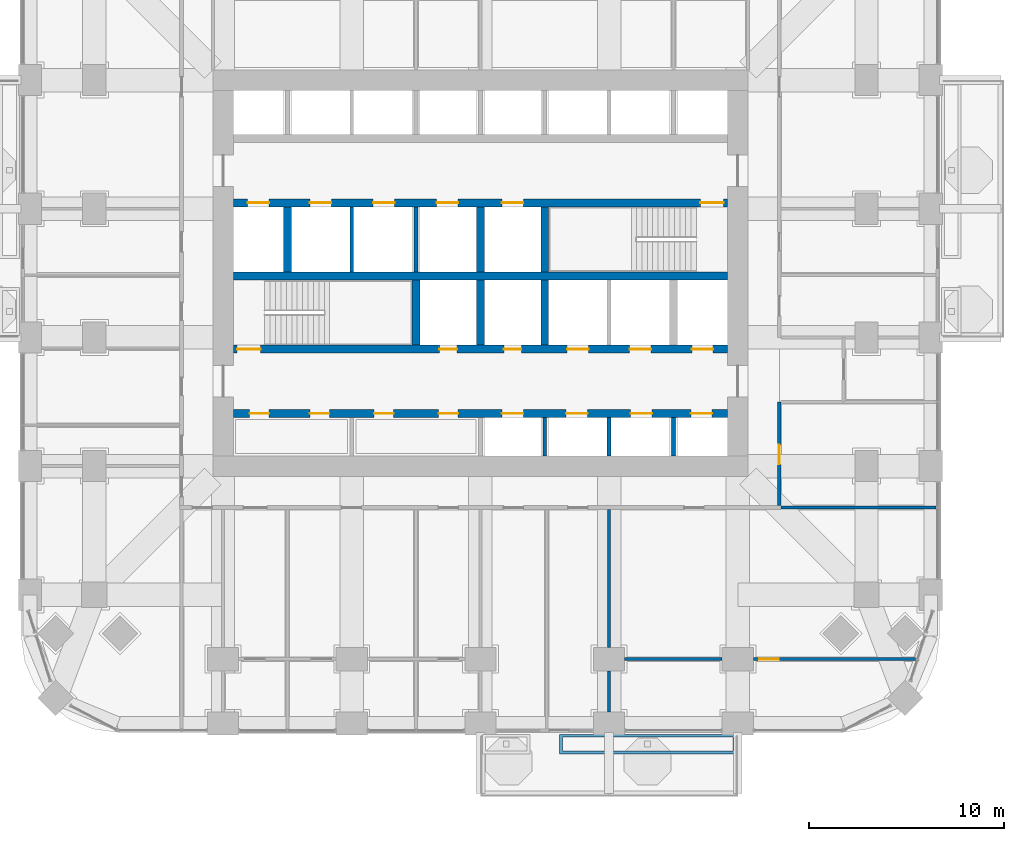
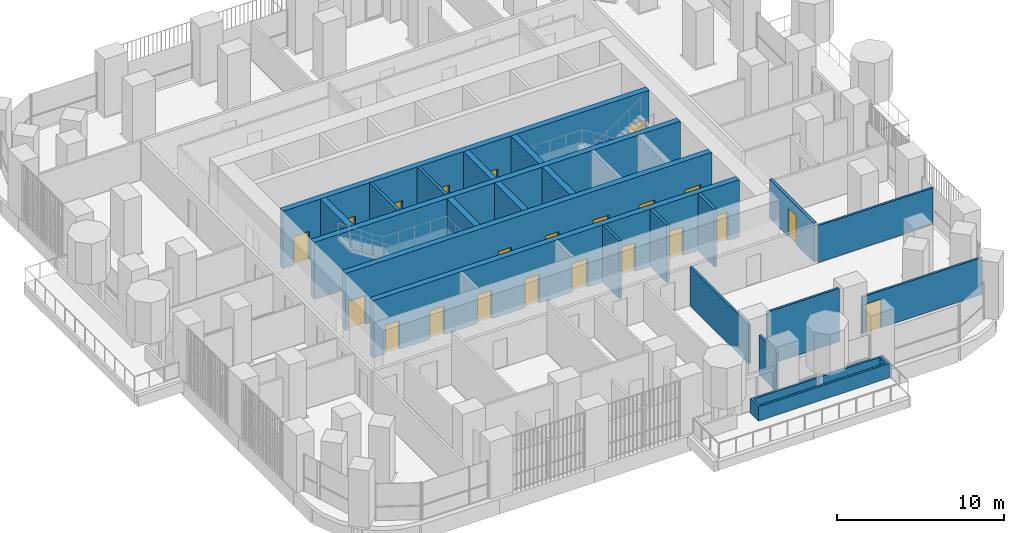
# One storey, part 15 of 22: 22 doors, 22 walls, 22 openings.
"""IFC4 building model written with IfcOpenShell, lengths in metres."""

from ifc_helpers import new_model, si_unit, direction, frame, frame_2d, origin, place, context, subcontext, project, spatial, polyline, rectangle, outline, extrude, material, layer, layer_set, type_object, element, fill, save


model = new_model("IFC4")

# Units and contexts
model_context = context("Model", 3, precision=1e-05, world=origin(), true_north=direction((0.0, 1.0)))
body_context = subcontext(model_context, "Body", "Model", "MODEL_VIEW")
ifc_project = project(units=[si_unit("LENGTHUNIT", "METRE"), si_unit("AREAUNIT", "SQUARE_METRE"), si_unit("VOLUMEUNIT", "CUBIC_METRE"), si_unit("PLANEANGLEUNIT", "RADIAN"), si_unit("MASSUNIT", "GRAM", prefix="KILO")], contexts=[model_context])

# Site, building, storey
site_placement = place(None, origin())
site = spatial("IfcSite", under=ifc_project, at=site_placement, CompositionType="ELEMENT")
building_placement = place(site_placement, origin())
building = spatial("IfcBuilding", under=site, at=building_placement, Name="Cobogo Forest Laboratory Tower", CompositionType="ELEMENT")
storey_placement = place(building_placement, frame((0.0, 0.0, 94.800048828125)))
storey = spatial("IfcBuildingStorey", under=building, at=storey_placement, Name="L21", CompositionType="ELEMENT", Elevation=94.800048828125)

# Wall, openings, doors
ifc_material_1 = material(Name="Concrete HA-50 (C50/60)", Category="concrete")
ifc_layer_1 = layer(ifc_material_1, 0.39990234375)
ifc_layer_set_1 = layer_set([ifc_layer_1], Name="CI400 core inner wall 400")
wall_type_1 = type_object("IfcWallType", Name="CI400 core inner wall 400", PredefinedType="SHEAR", material=ifc_layer_set_1)
wall_1_placement = place(storey_placement, frame((13.72509765625, 15.89990234375, 0.0), z_axis=(0.0, 0.0, 1.0), x_axis=(1.0, 0.0, 0.0)))
wall_1 = element("IfcWall", 1, at=wall_1_placement, inside=storey, type_object=wall_type_1, Name="Core wall CI-15.9 L21", PredefinedType="SHEAR", context=body_context, shape_type="SweptSolid", body=[
    extrude(rectangle(XDim=25.349853515625, YDim=0.39990234375, at=frame_2d((12.6748046875, 0.0))), origin(), (0.0, 0.0, 1.0), 4.199951171875),
])
opening_1_placement = place(wall_1_placement, frame((0.83740234375, 0.0, 0.0)))
opening_1 = element("IfcOpeningElement", 2, at=opening_1_placement, cuts=wall_1, Name="Opening L21-D16", PredefinedType="OPENING", context=body_context, shape_type="SweptSolid", body=[
    extrude(rectangle(XDim=1.0, YDim=2.10009765625, at=frame_2d((0.5, 1.050048828125))), frame((0.0, 0.2099609375, 0.0), z_axis=(0.0, -1.0, 0.0), x_axis=(1.0, 0.0, 0.0)), (0.0, 0.0, 1.0), 0.419921875),
])
opening_2_placement = place(wall_1_placement, frame((3.925048828125, 0.0, 0.0)))
opening_2 = element("IfcOpeningElement", 3, at=opening_2_placement, cuts=wall_1, Name="Opening L21-D17", PredefinedType="OPENING", context=body_context, shape_type="SweptSolid", body=[
    extrude(rectangle(XDim=1.0, YDim=2.10009765625, at=frame_2d((0.5, 1.050048828125))), frame((0.0, 0.2099609375, 0.0), z_axis=(0.0, -1.0, 0.0), x_axis=(1.0, 0.0, 0.0)), (0.0, 0.0, 1.0), 0.419921875),
])
opening_3_placement = place(wall_1_placement, frame((7.22509765625, 0.0, 0.0)))
opening_3 = element("IfcOpeningElement", 4, at=opening_3_placement, cuts=wall_1, Name="Opening L21-D18", PredefinedType="OPENING", context=body_context, shape_type="SweptSolid", body=[
    extrude(rectangle(XDim=1.0, YDim=2.10009765625, at=frame_2d((0.5, 1.050048828125))), frame((0.0, 0.2099609375, 0.0), z_axis=(0.0, -1.0, 0.0), x_axis=(1.0, 0.0, 0.0)), (0.0, 0.0, 1.0), 0.419921875),
])
opening_4_placement = place(wall_1_placement, frame((10.52490234375, 0.0, 0.0)))
opening_4 = element("IfcOpeningElement", 5, at=opening_4_placement, cuts=wall_1, Name="Opening L21-D19", PredefinedType="OPENING", context=body_context, shape_type="SweptSolid", body=[
    extrude(rectangle(XDim=1.0, YDim=2.10009765625, at=frame_2d((0.5, 1.050048828125))), frame((0.0, 0.2099609375, 0.0), z_axis=(0.0, -1.0, 0.0), x_axis=(1.0, 0.0, 0.0)), (0.0, 0.0, 1.0), 0.419921875),
])
opening_5_placement = place(wall_1_placement, frame((13.77490234375, 0.0, 0.0)))
opening_5 = element("IfcOpeningElement", 6, at=opening_5_placement, cuts=wall_1, Name="Opening L21-LD-LB1", PredefinedType="OPENING", context=body_context, shape_type="SweptSolid", body=[
    extrude(rectangle(XDim=1.10009765625, YDim=2.10009765625, at=frame_2d((0.550048828125, 1.050048828125))), frame((0.0, 0.2099609375, 0.0), z_axis=(0.0, -1.0, 0.0), x_axis=(1.0, 0.0, 0.0)), (0.0, 0.0, 1.0), 0.419921875),
])
opening_6_placement = place(wall_1_placement, frame((17.074951171875, 0.0, 0.0)))
opening_6 = element("IfcOpeningElement", 7, at=opening_6_placement, cuts=wall_1, Name="Opening L21-LD-LB2", PredefinedType="OPENING", context=body_context, shape_type="SweptSolid", body=[
    extrude(rectangle(XDim=1.10009765625, YDim=2.10009765625, at=frame_2d((0.550048828125, 1.050048828125))), frame((0.0, 0.2099609375, 0.0), z_axis=(0.0, -1.0, 0.0), x_axis=(1.0, 0.0, 0.0)), (0.0, 0.0, 1.0), 0.419921875),
])
opening_7_placement = place(wall_1_placement, frame((20.375, 0.0, 0.0)))
opening_7 = element("IfcOpeningElement", 8, at=opening_7_placement, cuts=wall_1, Name="Opening L21-LD-LB3", PredefinedType="OPENING", context=body_context, shape_type="SweptSolid", body=[
    extrude(rectangle(XDim=1.10009765625, YDim=2.10009765625, at=frame_2d((0.550048828125, 1.050048828125))), frame((0.0, 0.2099609375, 0.0), z_axis=(0.0, -1.0, 0.0), x_axis=(1.0, 0.0, 0.0)), (0.0, 0.0, 1.0), 0.419921875),
])
opening_8_placement = place(wall_1_placement, frame((23.46240234375, 0.0, 0.0)))
opening_8 = element("IfcOpeningElement", 9, at=opening_8_placement, cuts=wall_1, Name="Opening L21-LD-LB4", PredefinedType="OPENING", context=body_context, shape_type="SweptSolid", body=[
    extrude(rectangle(XDim=1.10009765625, YDim=2.10009765625, at=frame_2d((0.550048828125, 1.050048828125))), frame((0.0, 0.2099609375, 0.0), z_axis=(0.0, -1.0, 0.0), x_axis=(1.0, 0.0, 0.0)), (0.0, 0.0, 1.0), 0.419921875),
])
ifc_material_2 = material(Name="Steel fire door", Category="steel")
door_type_1 = type_object("IfcDoorType", Name="FD1 fire door 1000 EI2 60", OperationType="SINGLE_SWING_LEFT", PredefinedType="DOOR", material=ifc_material_2)
door_1_placement = place(opening_1_placement, origin())
door_1 = element("IfcDoor", 10, at=door_1_placement, inside=storey, type_object=door_type_1, Name="Door L21-SH-LA1", OperationType="SINGLE_SWING_LEFT", OverallHeight=2.10009765625, OverallWidth=1.0, PredefinedType="DOOR", context=body_context, shape_type="SweptSolid", body=[
    extrude(rectangle(XDim=1.0, YDim=2.10009765625, at=frame_2d((0.5, 1.050048828125))), frame((0.0, 0.02490234375, 0.0), z_axis=(0.0, -1.0, 0.0), x_axis=(1.0, 0.0, 0.0)), (0.0, 0.0, 1.0), 0.050048828125),
])
fill(opening_1, door_1)
door_2_placement = place(opening_2_placement, origin())
door_2 = element("IfcDoor", 11, at=door_2_placement, inside=storey, type_object=door_type_1, Name="Door L21-SH-LA2", OperationType="SINGLE_SWING_LEFT", OverallHeight=2.10009765625, OverallWidth=1.0, PredefinedType="DOOR", context=body_context, shape_type="SweptSolid", body=[
    extrude(rectangle(XDim=1.0, YDim=2.10009765625, at=frame_2d((0.5, 1.050048828125))), frame((0.0, 0.02490234375, 0.0), z_axis=(0.0, -1.0, 0.0), x_axis=(1.0, 0.0, 0.0)), (0.0, 0.0, 1.0), 0.050048828125),
])
fill(opening_2, door_2)
door_3_placement = place(opening_3_placement, origin())
door_3 = element("IfcDoor", 12, at=door_3_placement, inside=storey, type_object=door_type_1, Name="Door L21-SH-LA3", OperationType="SINGLE_SWING_LEFT", OverallHeight=2.10009765625, OverallWidth=1.0, PredefinedType="DOOR", context=body_context, shape_type="SweptSolid", body=[
    extrude(rectangle(XDim=1.0, YDim=2.10009765625, at=frame_2d((0.5, 1.050048828125))), frame((0.0, 0.02490234375, 0.0), z_axis=(0.0, -1.0, 0.0), x_axis=(1.0, 0.0, 0.0)), (0.0, 0.0, 1.0), 0.050048828125),
])
fill(opening_3, door_3)
door_4_placement = place(opening_4_placement, origin())
door_4 = element("IfcDoor", 13, at=door_4_placement, inside=storey, type_object=door_type_1, Name="Door L21-SH-LA4", OperationType="SINGLE_SWING_LEFT", OverallHeight=2.10009765625, OverallWidth=1.0, PredefinedType="DOOR", context=body_context, shape_type="SweptSolid", body=[
    extrude(rectangle(XDim=1.0, YDim=2.10009765625, at=frame_2d((0.5, 1.050048828125))), frame((0.0, 0.02490234375, 0.0), z_axis=(0.0, -1.0, 0.0), x_axis=(1.0, 0.0, 0.0)), (0.0, 0.0, 1.0), 0.050048828125),
])
fill(opening_4, door_4)
ifc_material_3 = material(Name="Stainless steel lift door", Category="steel")
door_type_2 = type_object("IfcDoorType", Name="LD lift landing door 1100", OperationType="DOUBLE_DOOR_SLIDING", PredefinedType="DOOR", material=ifc_material_3)
door_5_placement = place(opening_5_placement, origin())
door_5 = element("IfcDoor", 14, at=door_5_placement, inside=storey, type_object=door_type_2, Name="Lift landing door LB1 L21", OperationType="DOUBLE_DOOR_SLIDING", OverallHeight=2.10009765625, OverallWidth=1.10009765625, PredefinedType="DOOR", context=body_context, shape_type="SweptSolid", body=[
    extrude(rectangle(XDim=1.10009765625, YDim=2.10009765625, at=frame_2d((0.550048828125, 1.050048828125))), frame((0.0, 0.02490234375, 0.0), z_axis=(0.0, -1.0, 0.0), x_axis=(1.0, 0.0, 0.0)), (0.0, 0.0, 1.0), 0.050048828125),
])
fill(opening_5, door_5)
door_6_placement = place(opening_6_placement, origin())
door_6 = element("IfcDoor", 15, at=door_6_placement, inside=storey, type_object=door_type_2, Name="Lift landing door LB2 L21", OperationType="DOUBLE_DOOR_SLIDING", OverallHeight=2.10009765625, OverallWidth=1.10009765625, PredefinedType="DOOR", context=body_context, shape_type="SweptSolid", body=[
    extrude(rectangle(XDim=1.10009765625, YDim=2.10009765625, at=frame_2d((0.550048828125, 1.050048828125))), frame((0.0, 0.02490234375, 0.0), z_axis=(0.0, -1.0, 0.0), x_axis=(1.0, 0.0, 0.0)), (0.0, 0.0, 1.0), 0.050048828125),
])
fill(opening_6, door_6)
door_7_placement = place(opening_7_placement, origin())
door_7 = element("IfcDoor", 16, at=door_7_placement, inside=storey, type_object=door_type_2, Name="Lift landing door LB3 L21", OperationType="DOUBLE_DOOR_SLIDING", OverallHeight=2.10009765625, OverallWidth=1.10009765625, PredefinedType="DOOR", context=body_context, shape_type="SweptSolid", body=[
    extrude(rectangle(XDim=1.10009765625, YDim=2.10009765625, at=frame_2d((0.550048828125, 1.050048828125))), frame((0.0, 0.02490234375, 0.0), z_axis=(0.0, -1.0, 0.0), x_axis=(1.0, 0.0, 0.0)), (0.0, 0.0, 1.0), 0.050048828125),
])
fill(opening_7, door_7)
door_8_placement = place(opening_8_placement, origin())
door_8 = element("IfcDoor", 17, at=door_8_placement, inside=storey, type_object=door_type_2, Name="Lift landing door LB4 L21", OperationType="DOUBLE_DOOR_SLIDING", OverallHeight=2.10009765625, OverallWidth=1.10009765625, PredefinedType="DOOR", context=body_context, shape_type="SweptSolid", body=[
    extrude(rectangle(XDim=1.10009765625, YDim=2.10009765625, at=frame_2d((0.550048828125, 1.050048828125))), frame((0.0, 0.02490234375, 0.0), z_axis=(0.0, -1.0, 0.0), x_axis=(1.0, 0.0, 0.0)), (0.0, 0.0, 1.0), 0.050048828125),
])
fill(opening_8, door_8)

wall_2_placement = place(storey_placement, frame((13.72509765625, 19.199951171875, 0.0), z_axis=(0.0, 0.0, 1.0), x_axis=(1.0, 0.0, 0.0)))
wall_2 = element("IfcWall", 18, at=wall_2_placement, inside=storey, type_object=wall_type_1, Name="Core wall CI-19.2 L21", PredefinedType="SHEAR", context=body_context, shape_type="SweptSolid", body=[
    extrude(rectangle(XDim=25.349853515625, YDim=0.39990234375, at=frame_2d((12.6748046875, 0.0))), origin(), (0.0, 0.0, 1.0), 4.199951171875),
])
opening_9_placement = place(wall_2_placement, frame((10.574951171875, 0.0, 0.0)))
opening_9 = element("IfcOpeningElement", 19, at=opening_9_placement, cuts=wall_2, Name="Opening L21-D25", PredefinedType="OPENING", context=body_context, shape_type="SweptSolid", body=[
    extrude(rectangle(XDim=0.89990234375, YDim=2.10009765625, at=frame_2d((0.449951171875, 1.050048828125))), frame((0.0, 0.2099609375, 0.0), z_axis=(0.0, -1.0, 0.0), x_axis=(1.0, 0.0, 0.0)), (0.0, 0.0, 1.0), 0.419921875),
])
opening_10_placement = place(wall_2_placement, frame((13.875, 0.0, 0.0)))
opening_10 = element("IfcOpeningElement", 20, at=opening_10_placement, cuts=wall_2, Name="Opening L21-D26", PredefinedType="OPENING", context=body_context, shape_type="SweptSolid", body=[
    extrude(rectangle(XDim=0.89990234375, YDim=2.10009765625, at=frame_2d((0.449951171875, 1.050048828125))), frame((0.0, 0.2099609375, 0.0), z_axis=(0.0, -1.0, 0.0), x_axis=(1.0, 0.0, 0.0)), (0.0, 0.0, 1.0), 0.419921875),
])
opening_11_placement = place(wall_2_placement, frame((0.199951171875, 0.0, 0.0)))
opening_11 = element("IfcOpeningElement", 21, at=opening_11_placement, cuts=wall_2, Name="Opening L21-D24", PredefinedType="OPENING", context=body_context, shape_type="SweptSolid", body=[
    extrude(rectangle(XDim=1.199951171875, YDim=2.10009765625, at=frame_2d((0.60009765625, 1.050048828125))), frame((0.0, 0.2099609375, 0.0), z_axis=(0.0, -1.0, 0.0), x_axis=(1.0, 0.0, 0.0)), (0.0, 0.0, 1.0), 0.419921875),
])
opening_12_placement = place(wall_2_placement, frame((23.512451171875, 0.0, 0.0)))
opening_12 = element("IfcOpeningElement", 22, at=opening_12_placement, cuts=wall_2, Name="Opening L21-LD-FL2", PredefinedType="OPENING", context=body_context, shape_type="SweptSolid", body=[
    extrude(rectangle(XDim=1.10009765625, YDim=2.10009765625, at=frame_2d((0.550048828125, 1.050048828125))), frame((0.0, 0.2099609375, 0.0), z_axis=(0.0, -1.0, 0.0), x_axis=(1.0, 0.0, 0.0)), (0.0, 0.0, 1.0), 0.419921875),
])
opening_13_placement = place(wall_2_placement, frame((17.125, 0.0, 0.0)))
opening_13 = element("IfcOpeningElement", 23, at=opening_13_placement, cuts=wall_2, Name="Opening L21-LD-LS1", PredefinedType="OPENING", context=body_context, shape_type="SweptSolid", body=[
    extrude(rectangle(XDim=1.10009765625, YDim=2.10009765625, at=frame_2d((0.550048828125, 1.050048828125))), frame((0.0, 0.2099609375, 0.0), z_axis=(0.0, -1.0, 0.0), x_axis=(1.0, 0.0, 0.0)), (0.0, 0.0, 1.0), 0.419921875),
])
opening_14_placement = place(wall_2_placement, frame((20.324951171875, 0.0, 0.0)))
opening_14 = element("IfcOpeningElement", 24, at=opening_14_placement, cuts=wall_2, Name="Opening L21-LD-LS2", PredefinedType="OPENING", context=body_context, shape_type="SweptSolid", body=[
    extrude(rectangle(XDim=1.10009765625, YDim=2.10009765625, at=frame_2d((0.550048828125, 1.050048828125))), frame((0.0, 0.2099609375, 0.0), z_axis=(0.0, -1.0, 0.0), x_axis=(1.0, 0.0, 0.0)), (0.0, 0.0, 1.0), 0.419921875),
])
door_type_3 = type_object("IfcDoorType", Name="DS1 protected stair door 1200 EI2 60", OperationType="SINGLE_SWING_LEFT", PredefinedType="DOOR", material=ifc_material_2)
door_9_placement = place(opening_11_placement, origin())
door_9 = element("IfcDoor", 25, at=door_9_placement, inside=storey, type_object=door_type_3, Name="Door L21-ST1", OperationType="SINGLE_SWING_LEFT", OverallHeight=2.10009765625, OverallWidth=1.199951171875, PredefinedType="DOOR", context=body_context, shape_type="SweptSolid", body=[
    extrude(rectangle(XDim=1.199951171875, YDim=2.10009765625, at=frame_2d((0.60009765625, 1.050048828125))), frame((0.0, 0.02490234375, 0.0), z_axis=(0.0, -1.0, 0.0), x_axis=(1.0, 0.0, 0.0)), (0.0, 0.0, 1.0), 0.050048828125),
])
fill(opening_11, door_9)
door_type_4 = type_object("IfcDoorType", Name="FD4 riser access door 900 EI2 60", OperationType="SINGLE_SWING_LEFT", PredefinedType="DOOR", material=ifc_material_2)
door_10_placement = place(opening_9_placement, origin())
door_10 = element("IfcDoor", 26, at=door_10_placement, inside=storey, type_object=door_type_4, Name="Door L21-R1", OperationType="SINGLE_SWING_LEFT", OverallHeight=2.10009765625, OverallWidth=0.89990234375, PredefinedType="DOOR", context=body_context, shape_type="SweptSolid", body=[
    extrude(rectangle(XDim=0.89990234375, YDim=2.10009765625, at=frame_2d((0.449951171875, 1.050048828125))), frame((0.0, 0.02490234375, 0.0), z_axis=(0.0, -1.0, 0.0), x_axis=(1.0, 0.0, 0.0)), (0.0, 0.0, 1.0), 0.050048828125),
])
fill(opening_9, door_10)
door_11_placement = place(opening_10_placement, origin())
door_11 = element("IfcDoor", 27, at=door_11_placement, inside=storey, type_object=door_type_4, Name="Door L21-R2", OperationType="SINGLE_SWING_RIGHT", OverallHeight=2.10009765625, OverallWidth=0.89990234375, PredefinedType="DOOR", context=body_context, shape_type="SweptSolid", body=[
    extrude(rectangle(XDim=0.89990234375, YDim=2.10009765625, at=frame_2d((0.449951171875, 1.050048828125))), frame((0.0, 0.02490234375, 0.0), z_axis=(0.0, -1.0, 0.0), x_axis=(1.0, 0.0, 0.0)), (0.0, 0.0, 1.0), 0.050048828125),
])
fill(opening_10, door_11)
door_12_placement = place(opening_12_placement, origin())
door_12 = element("IfcDoor", 28, at=door_12_placement, inside=storey, type_object=door_type_2, Name="Lift landing door FL2 L21", OperationType="DOUBLE_DOOR_SLIDING", OverallHeight=2.10009765625, OverallWidth=1.10009765625, PredefinedType="DOOR", context=body_context, shape_type="SweptSolid", body=[
    extrude(rectangle(XDim=1.10009765625, YDim=2.10009765625, at=frame_2d((0.550048828125, 1.050048828125))), frame((0.0, 0.02490234375, 0.0), z_axis=(0.0, -1.0, 0.0), x_axis=(1.0, 0.0, 0.0)), (0.0, 0.0, 1.0), 0.050048828125),
])
fill(opening_12, door_12)
door_13_placement = place(opening_13_placement, origin())
door_13 = element("IfcDoor", 29, at=door_13_placement, inside=storey, type_object=door_type_2, Name="Lift landing door LS1 L21", OperationType="DOUBLE_DOOR_SLIDING", OverallHeight=2.10009765625, OverallWidth=1.10009765625, PredefinedType="DOOR", context=body_context, shape_type="SweptSolid", body=[
    extrude(rectangle(XDim=1.10009765625, YDim=2.10009765625, at=frame_2d((0.550048828125, 1.050048828125))), frame((0.0, 0.02490234375, 0.0), z_axis=(0.0, -1.0, 0.0), x_axis=(1.0, 0.0, 0.0)), (0.0, 0.0, 1.0), 0.050048828125),
])
fill(opening_13, door_13)
door_14_placement = place(opening_14_placement, origin())
door_14 = element("IfcDoor", 30, at=door_14_placement, inside=storey, type_object=door_type_2, Name="Lift landing door LS2 L21", OperationType="DOUBLE_DOOR_SLIDING", OverallHeight=2.10009765625, OverallWidth=1.10009765625, PredefinedType="DOOR", context=body_context, shape_type="SweptSolid", body=[
    extrude(rectangle(XDim=1.10009765625, YDim=2.10009765625, at=frame_2d((0.550048828125, 1.050048828125))), frame((0.0, 0.02490234375, 0.0), z_axis=(0.0, -1.0, 0.0), x_axis=(1.0, 0.0, 0.0)), (0.0, 0.0, 1.0), 0.050048828125),
])
fill(opening_14, door_14)

# Wall
wall_3_placement = place(storey_placement, frame((13.72509765625, 22.949951171875, 0.0), z_axis=(0.0, 0.0, 1.0), x_axis=(1.0, 0.0, 0.0)))
element("IfcWall", 31, at=wall_3_placement, inside=storey, type_object=wall_type_1, Name="Core wall CI-22.95 L21", PredefinedType="SHEAR", context=body_context, shape_type="SweptSolid", body=[
    extrude(rectangle(XDim=25.349853515625, YDim=0.39990234375, at=frame_2d((12.6748046875, 0.0))), origin(), (0.0, 0.0, 1.0), 4.199951171875),
])

# Wall, openings, doors
wall_4_placement = place(storey_placement, frame((13.72509765625, 26.699951171875, 0.0), z_axis=(0.0, 0.0, 1.0), x_axis=(1.0, 0.0, 0.0)))
wall_4 = element("IfcWall", 32, at=wall_4_placement, inside=storey, type_object=wall_type_1, Name="Core wall CI-26.7 L21", PredefinedType="SHEAR", context=body_context, shape_type="SweptSolid", body=[
    extrude(rectangle(XDim=25.349853515625, YDim=0.39990234375, at=frame_2d((12.6748046875, 0.0))), origin(), (0.0, 0.0, 1.0), 4.199951171875),
])
opening_15_placement = place(wall_4_placement, frame((23.949951171875, 0.0, 0.0)))
opening_15 = element("IfcOpeningElement", 33, at=opening_15_placement, cuts=wall_4, Name="Opening L21-D33", PredefinedType="OPENING", context=body_context, shape_type="SweptSolid", body=[
    extrude(rectangle(XDim=1.199951171875, YDim=2.10009765625, at=frame_2d((0.60009765625, 1.050048828125))), frame((0.0, 0.2099609375, 0.0), z_axis=(0.0, -1.0, 0.0), x_axis=(1.0, 0.0, 0.0)), (0.0, 0.0, 1.0), 0.419921875),
])
opening_16_placement = place(wall_4_placement, frame((0.737548828125, 0.0, 0.0)))
opening_16 = element("IfcOpeningElement", 34, at=opening_16_placement, cuts=wall_4, Name="Opening L21-LD-FL1", PredefinedType="OPENING", context=body_context, shape_type="SweptSolid", body=[
    extrude(rectangle(XDim=1.10009765625, YDim=2.10009765625, at=frame_2d((0.550048828125, 1.050048828125))), frame((0.0, 0.2099609375, 0.0), z_axis=(0.0, -1.0, 0.0), x_axis=(1.0, 0.0, 0.0)), (0.0, 0.0, 1.0), 0.419921875),
])
opening_17_placement = place(wall_4_placement, frame((3.925048828125, 0.0, 0.0)))
opening_17 = element("IfcOpeningElement", 35, at=opening_17_placement, cuts=wall_4, Name="Opening L21-LD-LS3", PredefinedType="OPENING", context=body_context, shape_type="SweptSolid", body=[
    extrude(rectangle(XDim=1.10009765625, YDim=2.10009765625, at=frame_2d((0.550048828125, 1.050048828125))), frame((0.0, 0.2099609375, 0.0), z_axis=(0.0, -1.0, 0.0), x_axis=(1.0, 0.0, 0.0)), (0.0, 0.0, 1.0), 0.419921875),
])
opening_18_placement = place(wall_4_placement, frame((7.175048828125, 0.0, 0.0)))
opening_18 = element("IfcOpeningElement", 36, at=opening_18_placement, cuts=wall_4, Name="Opening L21-LD-LS4", PredefinedType="OPENING", context=body_context, shape_type="SweptSolid", body=[
    extrude(rectangle(XDim=1.10009765625, YDim=2.10009765625, at=frame_2d((0.550048828125, 1.050048828125))), frame((0.0, 0.2099609375, 0.0), z_axis=(0.0, -1.0, 0.0), x_axis=(1.0, 0.0, 0.0)), (0.0, 0.0, 1.0), 0.419921875),
])
opening_19_placement = place(wall_4_placement, frame((10.425048828125, 0.0, 0.0)))
opening_19 = element("IfcOpeningElement", 37, at=opening_19_placement, cuts=wall_4, Name="Opening L21-LD-LS5", PredefinedType="OPENING", context=body_context, shape_type="SweptSolid", body=[
    extrude(rectangle(XDim=1.10009765625, YDim=2.10009765625, at=frame_2d((0.550048828125, 1.050048828125))), frame((0.0, 0.2099609375, 0.0), z_axis=(0.0, -1.0, 0.0), x_axis=(1.0, 0.0, 0.0)), (0.0, 0.0, 1.0), 0.419921875),
])
opening_20_placement = place(wall_4_placement, frame((13.77490234375, 0.0, 0.0)))
opening_20 = element("IfcOpeningElement", 38, at=opening_20_placement, cuts=wall_4, Name="Opening L21-LD-LS6", PredefinedType="OPENING", context=body_context, shape_type="SweptSolid", body=[
    extrude(rectangle(XDim=1.10009765625, YDim=2.10009765625, at=frame_2d((0.550048828125, 1.050048828125))), frame((0.0, 0.2099609375, 0.0), z_axis=(0.0, -1.0, 0.0), x_axis=(1.0, 0.0, 0.0)), (0.0, 0.0, 1.0), 0.419921875),
])
door_15_placement = place(opening_15_placement, origin())
door_15 = element("IfcDoor", 39, at=door_15_placement, inside=storey, type_object=door_type_3, Name="Door L21-ST2", OperationType="SINGLE_SWING_RIGHT", OverallHeight=2.10009765625, OverallWidth=1.199951171875, PredefinedType="DOOR", context=body_context, shape_type="SweptSolid", body=[
    extrude(rectangle(XDim=1.199951171875, YDim=2.10009765625, at=frame_2d((0.60009765625, 1.050048828125))), frame((0.0, 0.02490234375, 0.0), z_axis=(0.0, -1.0, 0.0), x_axis=(1.0, 0.0, 0.0)), (0.0, 0.0, 1.0), 0.050048828125),
])
fill(opening_15, door_15)
door_16_placement = place(opening_16_placement, origin())
door_16 = element("IfcDoor", 40, at=door_16_placement, inside=storey, type_object=door_type_2, Name="Lift landing door FL1 L21", OperationType="DOUBLE_DOOR_SLIDING", OverallHeight=2.10009765625, OverallWidth=1.10009765625, PredefinedType="DOOR", context=body_context, shape_type="SweptSolid", body=[
    extrude(rectangle(XDim=1.10009765625, YDim=2.10009765625, at=frame_2d((0.550048828125, 1.050048828125))), frame((0.0, 0.02490234375, 0.0), z_axis=(0.0, -1.0, 0.0), x_axis=(1.0, 0.0, 0.0)), (0.0, 0.0, 1.0), 0.050048828125),
])
fill(opening_16, door_16)
door_17_placement = place(opening_17_placement, origin())
door_17 = element("IfcDoor", 41, at=door_17_placement, inside=storey, type_object=door_type_2, Name="Lift landing door LS3 L21", OperationType="DOUBLE_DOOR_SLIDING", OverallHeight=2.10009765625, OverallWidth=1.10009765625, PredefinedType="DOOR", context=body_context, shape_type="SweptSolid", body=[
    extrude(rectangle(XDim=1.10009765625, YDim=2.10009765625, at=frame_2d((0.550048828125, 1.050048828125))), frame((0.0, 0.02490234375, 0.0), z_axis=(0.0, -1.0, 0.0), x_axis=(1.0, 0.0, 0.0)), (0.0, 0.0, 1.0), 0.050048828125),
])
fill(opening_17, door_17)
door_18_placement = place(opening_18_placement, origin())
door_18 = element("IfcDoor", 42, at=door_18_placement, inside=storey, type_object=door_type_2, Name="Lift landing door LS4 L21", OperationType="DOUBLE_DOOR_SLIDING", OverallHeight=2.10009765625, OverallWidth=1.10009765625, PredefinedType="DOOR", context=body_context, shape_type="SweptSolid", body=[
    extrude(rectangle(XDim=1.10009765625, YDim=2.10009765625, at=frame_2d((0.550048828125, 1.050048828125))), frame((0.0, 0.02490234375, 0.0), z_axis=(0.0, -1.0, 0.0), x_axis=(1.0, 0.0, 0.0)), (0.0, 0.0, 1.0), 0.050048828125),
])
fill(opening_18, door_18)
door_19_placement = place(opening_19_placement, origin())
door_19 = element("IfcDoor", 43, at=door_19_placement, inside=storey, type_object=door_type_2, Name="Lift landing door LS5 L21", OperationType="DOUBLE_DOOR_SLIDING", OverallHeight=2.10009765625, OverallWidth=1.10009765625, PredefinedType="DOOR", context=body_context, shape_type="SweptSolid", body=[
    extrude(rectangle(XDim=1.10009765625, YDim=2.10009765625, at=frame_2d((0.550048828125, 1.050048828125))), frame((0.0, 0.02490234375, 0.0), z_axis=(0.0, -1.0, 0.0), x_axis=(1.0, 0.0, 0.0)), (0.0, 0.0, 1.0), 0.050048828125),
])
fill(opening_19, door_19)
door_20_placement = place(opening_20_placement, origin())
door_20 = element("IfcDoor", 44, at=door_20_placement, inside=storey, type_object=door_type_2, Name="Lift landing door LS6 L21", OperationType="DOUBLE_DOOR_SLIDING", OverallHeight=2.10009765625, OverallWidth=1.10009765625, PredefinedType="DOOR", context=body_context, shape_type="SweptSolid", body=[
    extrude(rectangle(XDim=1.10009765625, YDim=2.10009765625, at=frame_2d((0.550048828125, 1.050048828125))), frame((0.0, 0.02490234375, 0.0), z_axis=(0.0, -1.0, 0.0), x_axis=(1.0, 0.0, 0.0)), (0.0, 0.0, 1.0), 0.050048828125),
])
fill(opening_20, door_20)

# Walls
for number, where, z_axis, x_axis, name in (
    (45, (23.10009765625, 19.39990234375, 0.0), (0.0, 0.0, 1.0), (0.0, 1.0, 0.0), "Core wall CX-23.1 L21"),
    (46, (26.39990234375, 19.39990234375, 0.0), (0.0, 0.0, 1.0), (0.0, 1.0, 0.0), "Core wall CX-26.4S L21"),
    (47, (29.699951171875, 19.39990234375, 0.0), (0.0, 0.0, 1.0), (0.0, 1.0, 0.0), "Core wall CX-29.7S L21"),
    (48, (16.5, 23.14990234375, 0.0), (0.0, 0.0, 1.0), (0.0, 1.0, 0.0), "Core wall CX-16.5 L21"),
    (49, (26.39990234375, 23.14990234375, 0.0), (0.0, 0.0, 1.0), (0.0, 1.0, 0.0), "Core wall CX-26.4N L21"),
    (50, (29.699951171875, 23.14990234375, 0.0), (0.0, 0.0, 1.0), (0.0, 1.0, 0.0), "Core wall CX-29.7N L21"),
):
    element("IfcWall", number, at=place(storey_placement, frame(where, z_axis=z_axis, x_axis=x_axis)), inside=storey, type_object=wall_type_1, Name=name, PredefinedType="SHEAR", context=body_context, shape_type="SweptSolid", body=[
        extrude(rectangle(XDim=3.35009765625, YDim=0.39990234375, at=frame_2d((1.675048828125, 0.0))), origin(), (0.0, 0.0, 1.0), 4.199951171875),
    ])
ifc_material_4 = material(Name="Gypsum board on steel studs", Category="steel")
ifc_layer_2 = layer(ifc_material_4, 0.14990234375)
ifc_layer_set_2 = layer_set([ifc_layer_2], Name="PT1 laboratory partition 150")
wall_type_2 = type_object("IfcWallType", Name="PT1 laboratory partition 150", PredefinedType="PARTITIONING", material=ifc_layer_set_2)
wall_5_placement = place(storey_placement, frame((49.77001953125, 11.074951171875, 0.0), z_axis=(0.0, 0.0, 1.0), x_axis=(-1.0, 0.0, 0.0)))
element("IfcWall", 51, at=wall_5_placement, inside=storey, type_object=wall_type_2, Name="Partition PW-SE L21", PredefinedType="PARTITIONING", context=body_context, shape_type="SweptSolid", body=[
    extrude(rectangle(XDim=7.945068359375, YDim=0.14990234375, at=frame_2d((3.97265625, 0.0))), origin(), (0.0, 0.0, 1.0), 2.699951171875),
])
wall_6_placement = place(storey_placement, frame((33.800048828125, 3.300048828125, 0.0), z_axis=(0.0, 0.0, 1.0), x_axis=(1.0, 0.0, 0.0)))
element("IfcWall", 52, at=wall_6_placement, inside=storey, type_object=wall_type_2, Name="Partition STRIP-S-3 L21", PredefinedType="PARTITIONING", context=body_context, shape_type="SweptSolid", body=[
    extrude(rectangle(XDim=5.0, YDim=0.14990234375, at=frame_2d((2.5, 0.0))), origin(), (0.0, 0.0, 1.0), 3.89990234375),
])

# Wall, opening, door
wall_7_placement = place(storey_placement, frame((40.39990234375, 3.300048828125, 0.0), z_axis=(0.0, 0.0, 1.0), x_axis=(1.0, 0.0, 0.0)))
wall_7 = element("IfcWall", 53, at=wall_7_placement, inside=storey, type_object=wall_type_2, Name="Partition STRIP-S-4 L21", PredefinedType="PARTITIONING", context=body_context, shape_type="SweptSolid", body=[
    extrude(rectangle(XDim=8.323974609375, YDim=0.14990234375, at=frame_2d((4.162109375, 0.0))), origin(), (0.0, 0.0, 1.0), 2.699951171875),
])
opening_21_placement = place(wall_7_placement, frame((0.2919921875, 0.0, 0.0)))
opening_21 = element("IfcOpeningElement", 54, at=opening_21_placement, cuts=wall_7, Name="Opening L21-D05", PredefinedType="OPENING", context=body_context, shape_type="SweptSolid", body=[
    extrude(rectangle(XDim=1.0, YDim=2.10009765625, at=frame_2d((0.5, 1.050048828125))), frame((0.0, 0.0849609375, 0.0), z_axis=(0.0, -1.0, 0.0), x_axis=(1.0, 0.0, 0.0)), (0.0, 0.0, 1.0), 0.169921875),
])
ifc_material_5 = material(Name="Timber fire door", Category="wood")
door_type_5 = type_object("IfcDoorType", Name="FD2 fire door 1000 EI2 30", OperationType="SINGLE_SWING_LEFT", PredefinedType="DOOR", material=ifc_material_5)
door_21_placement = place(opening_21_placement, origin())
door_21 = element("IfcDoor", 55, at=door_21_placement, inside=storey, type_object=door_type_5, Name="Door L21-S5W", OperationType="SINGLE_SWING_LEFT", OverallHeight=2.10009765625, OverallWidth=1.0, PredefinedType="DOOR", context=body_context, shape_type="SweptSolid", body=[
    extrude(rectangle(XDim=1.0, YDim=2.10009765625, at=frame_2d((0.5, 1.050048828125))), frame((0.0, 0.02490234375, 0.0), z_axis=(0.0, -1.0, 0.0), x_axis=(1.0, 0.0, 0.0)), (0.0, 0.0, 1.0), 0.050048828125),
])
fill(opening_21, door_21)

# Walls
wall_8_placement = place(storey_placement, frame((33.0, 0.60009765625, 0.0), z_axis=(0.0, 0.0, 1.0), x_axis=(0.0, 1.0, 0.0)))
element("IfcWall", 56, at=wall_8_placement, inside=storey, type_object=wall_type_2, Name="Partition SVC-S2-1 L21", PredefinedType="PARTITIONING", context=body_context, shape_type="SweptSolid", body=[
    extrude(rectangle(XDim=2.099853515625, YDim=0.14990234375, at=frame_2d((1.0498046875, 0.0))), origin(), (0.0, 0.0, 1.0), 2.849853515625),
])
wall_9_placement = place(storey_placement, frame((33.0, 3.89990234375, 0.0), z_axis=(0.0, 0.0, 1.0), x_axis=(0.0, 1.0, 0.0)))
element("IfcWall", 57, at=wall_9_placement, inside=storey, type_object=wall_type_2, Name="Partition SVC-S2-2 L21", PredefinedType="PARTITIONING", context=body_context, shape_type="SweptSolid", body=[
    extrude(rectangle(XDim=7.0751953125, YDim=0.14990234375, at=frame_2d((3.53759765625, 0.0))), origin(), (0.0, 0.0, 1.0), 2.849853515625),
])

# Wall, opening, door
ifc_layer_3 = layer(ifc_material_4, 0.199951171875)
ifc_layer_set_3 = layer_set([ifc_layer_3], Name="PT2 fire-rated corridor partition 200")
wall_type_3 = type_object("IfcWallType", Name="PT2 fire-rated corridor partition 200", PredefinedType="PARTITIONING", material=ifc_layer_set_3)
wall_10_placement = place(storey_placement, frame((41.72509765625, 11.175048828125, 0.0), z_axis=(0.0, 0.0, 1.0), x_axis=(0.0, 1.0, 0.0)))
wall_10 = element("IfcWall", 58, at=wall_10_placement, inside=storey, type_object=wall_type_3, Name="Partition CORR-E-1 L21", PredefinedType="PARTITIONING", context=body_context, shape_type="SweptSolid", body=[
    extrude(rectangle(XDim=5.324951171875, YDim=0.199951171875, at=frame_2d((2.66259765625, 0.0))), origin(), (0.0, 0.0, 1.0), 2.849853515625),
])
opening_22_placement = place(wall_10_placement, frame((2.112548828125, 0.0, 0.0)))
opening_22 = element("IfcOpeningElement", 59, at=opening_22_placement, cuts=wall_10, Name="Opening L21-D14", PredefinedType="OPENING", context=body_context, shape_type="SweptSolid", body=[
    extrude(rectangle(XDim=1.0, YDim=2.10009765625, at=frame_2d((0.5, 1.050048828125))), frame((0.0, 0.10986328125, 0.0), z_axis=(0.0, -1.0, 0.0), x_axis=(1.0, 0.0, 0.0)), (0.0, 0.0, 1.0), 0.219970703125),
])
door_22_placement = place(opening_22_placement, origin())
door_22 = element("IfcDoor", 60, at=door_22_placement, inside=storey, type_object=door_type_5, Name="Door L21-E1", OperationType="SINGLE_SWING_LEFT", OverallHeight=2.10009765625, OverallWidth=1.0, PredefinedType="DOOR", context=body_context, shape_type="SweptSolid", body=[
    extrude(rectangle(XDim=1.0, YDim=2.10009765625, at=frame_2d((0.5, 1.050048828125))), frame((0.0, 0.02490234375, 0.0), z_axis=(0.0, -1.0, 0.0), x_axis=(1.0, 0.0, 0.0)), (0.0, 0.0, 1.0), 0.050048828125),
])
fill(opening_22, door_22)

# Walls
ifc_material_6 = material(Name="Concrete HA-40 (C40/50)", Category="concrete")
ifc_layer_4 = layer(ifc_material_6, 0.14990234375)
ifc_layer_set_4 = layer_set([ifc_layer_4], Name="Planter box 1000x1050")
wall_type_4 = type_object("IfcWallType", Name="Planter box 1000x1050", PredefinedType="USERDEFINED", material=ifc_layer_set_4)
wall_11_placement = place(storey_placement, origin())
element("IfcWall", 61, at=wall_11_placement, inside=storey, type_object=wall_type_4, Name="Planter BAL-S1-2 L21", ObjectType="PLANTER", PredefinedType="USERDEFINED", context=body_context, shape_type="SweptSolid", body=[
    extrude(outline(polyline([(30.449951171875, -1.550048828125), (39.5, -1.550048828125), (39.5, -0.550048828125), (30.449951171875, -0.550048828125), (30.449951171875, -1.550048828125)]), holes=[polyline([(30.60009765625, -1.39990234375), (39.35009765625, -1.39990234375), (39.35009765625, -0.699951171875), (30.60009765625, -0.699951171875), (30.60009765625, -1.39990234375)])]), origin(), (0.0, 0.0, 1.0), 1.050048828125),
])
ifc_material_7 = material(Name="Concrete block", Category="concrete")
ifc_layer_5 = layer(ifc_material_7, 0.199951171875)
ifc_layer_set_5 = layer_set([ifc_layer_5], Name="SW200 lift shaft separator 200")
wall_type_5 = type_object("IfcWallType", Name="SW200 lift shaft separator 200", PredefinedType="PARTITIONING", material=ifc_layer_set_5)
for number, where, z_axis, x_axis, name in (
    (62, (29.699951171875, 13.72509765625, 0.0), (0.0, 0.0, 1.0), (0.0, 1.0, 0.0), "Core wall SEP-S5 L21"),
    (63, (33.0, 13.72509765625, 0.0), (0.0, 0.0, 1.0), (0.0, 1.0, 0.0), "Core wall SEP-S6 L21"),
    (64, (36.300048828125, 13.72509765625, 0.0), (0.0, 0.0, 1.0), (0.0, 1.0, 0.0), "Core wall SEP-S7 L21"),
):
    element("IfcWall", number, at=place(storey_placement, frame(where, z_axis=z_axis, x_axis=x_axis)), inside=storey, type_object=wall_type_5, Name=name, PredefinedType="PARTITIONING", context=body_context, shape_type="SweptSolid", body=[
        extrude(rectangle(XDim=1.974853515625, YDim=0.199951171875, at=frame_2d((0.9873046875, 0.0))), origin(), (0.0, 0.0, 1.0), 4.199951171875),
    ])
for number, where, z_axis, x_axis, name in (
    (65, (19.800048828125, 23.14990234375, 0.0), (0.0, 0.0, 1.0), (0.0, 1.0, 0.0), "Core wall SEP-M19.8 L21"),
    (66, (23.10009765625, 23.14990234375, 0.0), (0.0, 0.0, 1.0), (0.0, 1.0, 0.0), "Core wall SEP-M23.1 L21"),
):
    element("IfcWall", number, at=place(storey_placement, frame(where, z_axis=z_axis, x_axis=x_axis)), inside=storey, type_object=wall_type_5, Name=name, PredefinedType="PARTITIONING", context=body_context, shape_type="SweptSolid", body=[
        extrude(rectangle(XDim=3.35009765625, YDim=0.199951171875, at=frame_2d((1.675048828125, 0.0))), origin(), (0.0, 0.0, 1.0), 4.199951171875),
    ])

save(model, "model.ifc")
